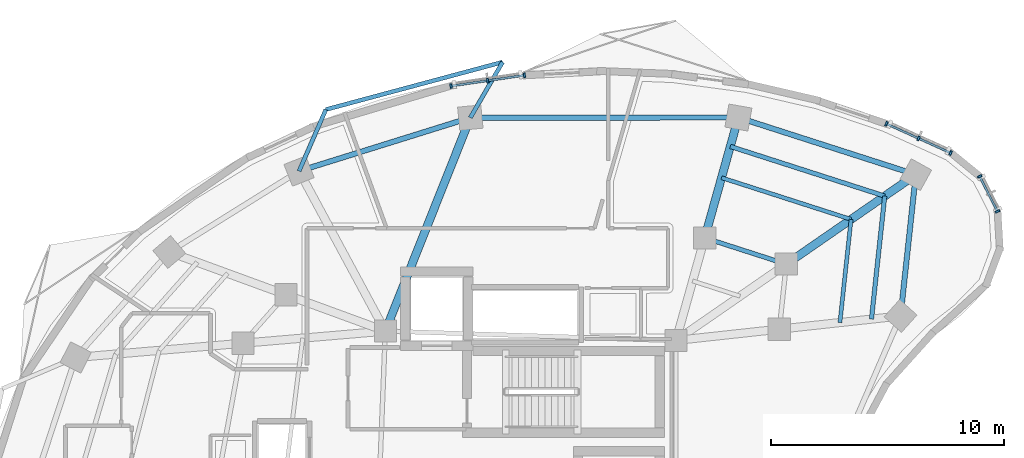
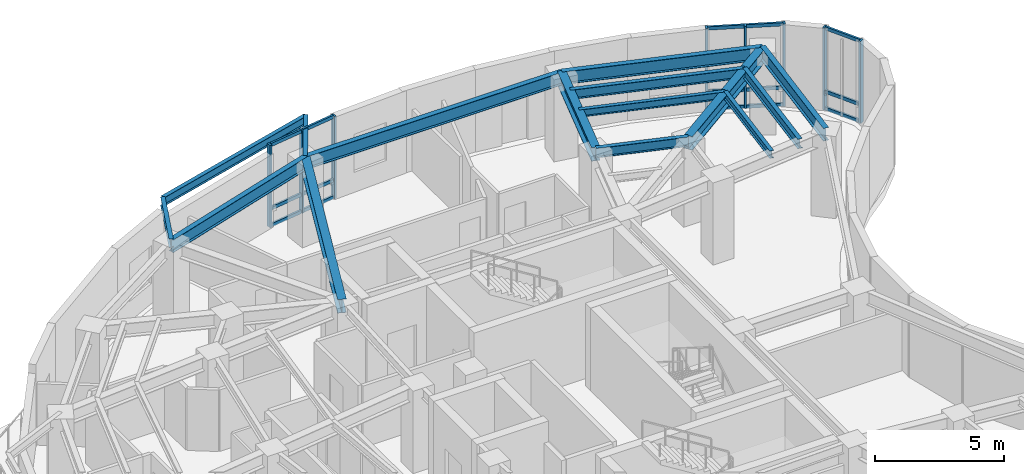
# One storey, part 5 of 13: 23 members, 15 beams, 3 elements without a shape of their own.
"""IFC4 building model written with IfcOpenShell, lengths in metres."""

from ifc_helpers import new_model, si_unit, direction, frame, origin, origin_2d, place, context, subcontext, project, spatial, rectangle, i_section, extrude, material, layer, layer_set, material_profile, profile_set, type_object, element, aggregate, save


model = new_model("IFC4")

# Units and contexts
model_context = context("Model", 3, precision=1e-05, world=origin(), true_north=direction((0.0, 1.0)))
body_context = subcontext(model_context, "Body", "Model", "MODEL_VIEW")
ifc_project = project(units=[si_unit("LENGTHUNIT", "METRE"), si_unit("AREAUNIT", "SQUARE_METRE"), si_unit("VOLUMEUNIT", "CUBIC_METRE"), si_unit("PLANEANGLEUNIT", "RADIAN"), si_unit("MASSUNIT", "GRAM", prefix="KILO")], contexts=[model_context])

# Site, building, storey
site_placement = place(None, origin())
site = spatial("IfcSite", under=ifc_project, at=site_placement, CompositionType="ELEMENT")
building_placement = place(site_placement, origin())
building = spatial("IfcBuilding", under=site, at=building_placement, Name="Korentha Bioscience Tower", CompositionType="ELEMENT")
storey_placement = place(building_placement, frame((0.0, 0.0, 166.800048828125)))
storey = spatial("IfcBuildingStorey", under=building, at=storey_placement, Name="L38", CompositionType="ELEMENT", Elevation=166.800048828125)

# Beam
ifc_material_1 = material(Name="Steel S355", Category="steel")
ifc_material_profile_1 = material_profile(ifc_material_1, i_section(OverallWidth=0.18994140625, OverallDepth=0.45703125, WebThickness=0.009033203125, FlangeThickness=0.014404296875, at=origin_2d()), Name="Steel S355")
ifc_profile_set_1 = profile_set([ifc_material_profile_1], Name="Steel S355 (MB-460)")
beam_type_1 = type_object("IfcBeamType", Name="Mid-Ring Tie Girder W460x74", PredefinedType="BEAM", material=ifc_profile_set_1)
beam_1_placement = place(storey_placement, frame((42.274658203125, 39.1171875, 3.67138671875), z_axis=(-0.952000195343, 0.306097415976, 0.0), x_axis=(-0.306097415976, -0.952000195343, 0.0)))
element("IfcBeam", 1, at=beam_1_placement, inside=storey, type_object=beam_type_1, Name="L38 Mid-Ring Tie Girder 01", PredefinedType="BEAM", context=body_context, shape_type="SweptSolid", body=[
    extrude(i_section(OverallWidth=0.18994140625, OverallDepth=0.45703125, WebThickness=0.009033203125, FlangeThickness=0.014404296875, at=origin_2d()), origin(), (0.0, 0.0, 1.0), 3.672119140625),
])

# Curtain wall, members
ifc_material_2 = material(Name="Thermally Broken Aluminium Frame", Category="aluminium")
ifc_layer = layer(ifc_material_2, 0.219970703125, Name="Thermally Broken Aluminium Frame")
ifc_layer_set = layer_set([ifc_layer], Name="Thermally Broken Aluminium Frame (CW-T2)")
curtain_wall_type = type_object("IfcCurtainWallType", Name="Solar-Screened Lab Unitised Curtain Wall CW-T2", PredefinedType="USERDEFINED", material=ifc_layer_set)
curtain_wall_1_placement = place(storey_placement, origin())
curtain_wall_1 = element("IfcCurtainWall", 2, at=curtain_wall_1_placement, inside=storey, type_object=curtain_wall_type, Name="L38 Curtain Wall 01", ObjectType="UNITISED", PredefinedType="USERDEFINED")
ifc_material_3 = material(Name="Anodised Aluminium 6063-T6", Category="aluminium")
ifc_material_profile_2 = material_profile(ifc_material_3, rectangle(XDim=0.090087890625, YDim=0.199951171875, at=origin_2d()), Name="Anodised Aluminium 6063-T6")
ifc_profile_set_2 = profile_set([ifc_material_profile_2], Name="Anodised Aluminium 6063-T6 (CW-MUL)")
member_type_1 = type_object("IfcMemberType", Name="Mullion RECT 90x200", PredefinedType="MULLION", material=ifc_profile_set_2)
member_1_placement = place(storey_placement, frame((49.314453125, 43.878173828125, 0.0), z_axis=(0.0, 0.0, 1.0), x_axis=(-0.910644398392, 0.413190972406, 0.0)))
member_1 = element("IfcMember", 3, at=member_1_placement, type_object=member_type_1, Name="CW-L38-01 Mullion 1", PredefinedType="MULLION", context=body_context, shape_type="SweptSolid", body=[
    extrude(rectangle(XDim=0.090087890625, YDim=0.199951171875, at=origin_2d()), origin(), (0.0, 0.0, 1.0), 3.89990234375),
])
member_2_placement = place(storey_placement, frame((47.93701171875, 44.503173828125, 0.0), z_axis=(0.0, 0.0, 1.0), x_axis=(-0.910644398392, 0.413190972406, 0.0)))
member_2 = element("IfcMember", 4, at=member_2_placement, type_object=member_type_1, Name="CW-L38-01 Mullion 2", PredefinedType="MULLION", context=body_context, shape_type="SweptSolid", body=[
    extrude(rectangle(XDim=0.090087890625, YDim=0.199951171875, at=origin_2d()), origin(), (0.0, 0.0, 1.0), 3.89990234375),
])
member_3_placement = place(storey_placement, frame((46.5595703125, 45.128173828125, 0.0), z_axis=(0.0, 0.0, 1.0), x_axis=(-0.910644398392, 0.413190972406, 0.0)))
member_3 = element("IfcMember", 5, at=member_3_placement, type_object=member_type_1, Name="CW-L38-01 Mullion 3", PredefinedType="MULLION", context=body_context, shape_type="SweptSolid", body=[
    extrude(rectangle(XDim=0.090087890625, YDim=0.199951171875, at=origin_2d()), origin(), (0.0, 0.0, 1.0), 3.89990234375),
])

curtain_wall_2_placement = place(storey_placement, origin())
curtain_wall_2 = element("IfcCurtainWall", 6, at=curtain_wall_2_placement, inside=storey, type_object=curtain_wall_type, Name="L38 Curtain Wall 07", ObjectType="UNITISED", PredefinedType="USERDEFINED")
member_4_placement = place(storey_placement, frame((31.056640625, 47.205078125, 0.0), z_axis=(0.0, 0.0, 1.0), x_axis=(-0.989461919888, -0.144793332342, 0.0)))
member_4 = element("IfcMember", 7, at=member_4_placement, type_object=member_type_1, Name="CW-L38-07 Mullion 1", PredefinedType="MULLION", context=body_context, shape_type="SweptSolid", body=[
    extrude(rectangle(XDim=0.090087890625, YDim=0.199951171875, at=origin_2d()), origin(), (0.0, 0.0, 1.0), 3.89990234375),
])
member_5_placement = place(storey_placement, frame((29.485107421875, 46.97509765625, 0.0), z_axis=(0.0, 0.0, 1.0), x_axis=(-0.989461919888, -0.144793332342, 0.0)))
member_5 = element("IfcMember", 8, at=member_5_placement, type_object=member_type_1, Name="CW-L38-07 Mullion 2", PredefinedType="MULLION", context=body_context, shape_type="SweptSolid", body=[
    extrude(rectangle(XDim=0.090087890625, YDim=0.199951171875, at=origin_2d()), origin(), (0.0, 0.0, 1.0), 3.89990234375),
])
member_6_placement = place(storey_placement, frame((27.913330078125, 46.7451171875, 0.0), z_axis=(0.0, 0.0, 1.0), x_axis=(-0.989461919888, -0.144793332342, 0.0)))
member_6 = element("IfcMember", 9, at=member_6_placement, type_object=member_type_1, Name="CW-L38-07 Mullion 3", PredefinedType="MULLION", context=body_context, shape_type="SweptSolid", body=[
    extrude(rectangle(XDim=0.090087890625, YDim=0.199951171875, at=origin_2d()), origin(), (0.0, 0.0, 1.0), 3.89990234375),
])

curtain_wall_3_placement = place(storey_placement, origin())
curtain_wall_3 = element("IfcCurtainWall", 10, at=curtain_wall_3_placement, inside=storey, type_object=curtain_wall_type, Name="L38 Curtain Wall 61", ObjectType="UNITISED", PredefinedType="USERDEFINED")
member_7_placement = place(storey_placement, frame((51.31884765625, 41.375732421875, 0.0), z_axis=(0.0, 0.0, 1.0), x_axis=(-0.45428845847, 0.890854643868, 0.0)))
member_7 = element("IfcMember", 11, at=member_7_placement, type_object=member_type_1, Name="CW-L38-61 Mullion 1", PredefinedType="MULLION", context=body_context, shape_type="SweptSolid", body=[
    extrude(rectangle(XDim=0.090087890625, YDim=0.199951171875, at=origin_2d()), origin(), (0.0, 0.0, 1.0), 3.89990234375),
])
member_8_placement = place(storey_placement, frame((50.5546875, 42.873779296875, 0.0), z_axis=(0.0, 0.0, 1.0), x_axis=(-0.45428845847, 0.890854643868, 0.0)))
member_8 = element("IfcMember", 12, at=member_8_placement, type_object=member_type_1, Name="CW-L38-61 Mullion 2", PredefinedType="MULLION", context=body_context, shape_type="SweptSolid", body=[
    extrude(rectangle(XDim=0.090087890625, YDim=0.199951171875, at=origin_2d()), origin(), (0.0, 0.0, 1.0), 3.89990234375),
])

# Beams
ifc_material_profile_3 = material_profile(ifc_material_1, i_section(OverallWidth=0.22802734375, OverallDepth=0.60791015625, WebThickness=0.01123046875, FlangeThickness=0.017333984375, at=origin_2d()), Name="Steel S355")
ifc_profile_set_3 = profile_set([ifc_material_profile_3], Name="Steel S355 (SB-610)")
beam_type_2 = type_object("IfcBeamType", Name="Perimeter Ring Spandrel Girder W610x113", PredefinedType="SPANDREL", material=ifc_profile_set_3)
beam_2_placement = place(storey_placement, frame((47.821044921875, 42.95263671875, 3.595947265625), z_axis=(-0.952008512555, 0.306071547228, 0.0), x_axis=(-0.306071547228, -0.952008512555, 0.0)))
element("IfcBeam", 13, at=beam_2_placement, inside=storey, type_object=beam_type_2, Name="L38 Perimeter Spandrel Girder 01", PredefinedType="SPANDREL", context=body_context, shape_type="SweptSolid", body=[
    extrude(i_section(OverallWidth=0.22802734375, OverallDepth=0.60791015625, WebThickness=0.01123046875, FlangeThickness=0.017333984375, at=origin_2d()), origin(), (0.0, 0.0, 1.0), 7.98291015625),
])
beam_3_placement = place(storey_placement, frame((40.22119140625, 45.39599609375, 3.595947265625), z_axis=(-0.99999988041, -0.000489059883, 0.0), x_axis=(0.000489059883, -0.99999988041, 0.0)))
element("IfcBeam", 14, at=beam_3_placement, inside=storey, type_object=beam_type_2, Name="L38 Perimeter Spandrel Girder 02", PredefinedType="SPANDREL", context=body_context, shape_type="SweptSolid", body=[
    extrude(i_section(OverallWidth=0.22802734375, OverallDepth=0.60791015625, WebThickness=0.01123046875, FlangeThickness=0.017333984375, at=origin_2d()), origin(), (0.0, 0.0, 1.0), 11.481689453125),
])
beam_4_placement = place(storey_placement, frame((28.739501953125, 45.390380859375, 3.595947265625), z_axis=(-0.954638172607, -0.29776829818, 0.0), x_axis=(0.29776829818, -0.954638172607, 0.0)))
element("IfcBeam", 15, at=beam_4_placement, inside=storey, type_object=beam_type_2, Name="L38 Perimeter Spandrel Girder 03", PredefinedType="SPANDREL", context=body_context, shape_type="SweptSolid", body=[
    extrude(i_section(OverallWidth=0.22802734375, OverallDepth=0.60791015625, WebThickness=0.01123046875, FlangeThickness=0.017333984375, at=origin_2d()), origin(), (0.0, 0.0, 1.0), 7.682373046875),
])
beam_5_placement = place(storey_placement, frame((47.16748046875, 36.89794921875, 3.595947265625), z_axis=(0.10732012232, 0.994224517574, 0.0), x_axis=(-0.994224517574, 0.10732012232, 0.0)))
element("IfcBeam", 16, at=beam_5_placement, inside=storey, type_object=beam_type_2, Name="L38 Perimeter Spandrel Girder 16", PredefinedType="SPANDREL", context=body_context, shape_type="SweptSolid", body=[
    extrude(i_section(OverallWidth=0.22802734375, OverallDepth=0.60791015625, WebThickness=0.01123046875, FlangeThickness=0.017333984375, at=origin_2d()), origin(), (0.0, 0.0, 1.0), 6.08984375),
])
ifc_material_profile_4 = material_profile(ifc_material_1, i_section(OverallWidth=0.18994140625, OverallDepth=0.45703125, WebThickness=0.009033203125, FlangeThickness=0.014404296875, at=origin_2d()), Name="Steel S355")
ifc_profile_set_4 = profile_set([ifc_material_profile_4], Name="Steel S355 (RB-460)")
beam_type_3 = type_object("IfcBeamType", Name="Radial Laboratory Beam W460x74", PredefinedType="BEAM", material=ifc_profile_set_4)
beam_6_placement = place(storey_placement, frame((46.489990234375, 42.031982421875, 3.67138671875), z_axis=(-0.952009183817, 0.306069459318, 0.0), x_axis=(-0.306069459318, -0.952009183817, 0.0)))
element("IfcBeam", 17, at=beam_6_placement, inside=storey, type_object=beam_type_3, Name="L38 Secondary Floor Beam JSTO-01", PredefinedType="BEAM", context=body_context, shape_type="SweptSolid", body=[
    extrude(i_section(OverallWidth=0.18994140625, OverallDepth=0.45703125, WebThickness=0.009033203125, FlangeThickness=0.014404296875, at=origin_2d()), origin(), (0.0, 0.0, 1.0), 6.948486328125),
])
beam_7_placement = place(storey_placement, frame((45.921142578125, 36.76220703125, 3.67138671875), z_axis=(0.107321875607, 0.994224328316, 0.0), x_axis=(-0.994224328316, 0.107321875607, 0.0)))
element("IfcBeam", 18, at=beam_7_placement, inside=storey, type_object=beam_type_3, Name="L38 Secondary Floor Beam JSTO-16", PredefinedType="BEAM", context=body_context, shape_type="SweptSolid", body=[
    extrude(i_section(OverallWidth=0.18994140625, OverallDepth=0.45703125, WebThickness=0.009033203125, FlangeThickness=0.014404296875, at=origin_2d()), origin(), (0.0, 0.0, 1.0), 5.30029296875),
])
ifc_material_profile_5 = material_profile(ifc_material_1, i_section(OverallWidth=0.35009765625, OverallDepth=0.64990234375, WebThickness=0.01611328125, FlangeThickness=0.02490234375, at=origin_2d()), Name="Steel S355")
ifc_profile_set_5 = profile_set([ifc_material_profile_5], Name="Steel S355 (RB-650)")
beam_type_4 = type_object("IfcBeamType", Name="Radial Laboratory Girder CVS 650x208", PredefinedType="BEAM", material=ifc_profile_set_5)
beam_8_placement = place(storey_placement, frame((42.274658203125, 39.1171875, 3.574951171875), z_axis=(0.822494455845, 0.568773127094, 0.0), x_axis=(-0.568773127094, 0.822494455845, 0.0)))
element("IfcBeam", 19, at=beam_8_placement, inside=storey, type_object=beam_type_4, Name="L38 Outer Radial Girder 01", PredefinedType="BEAM", context=body_context, shape_type="SweptSolid", body=[
    extrude(i_section(OverallWidth=0.35009765625, OverallDepth=0.64990234375, WebThickness=0.01611328125, FlangeThickness=0.02490234375, at=origin_2d()), origin(), (0.0, 0.0, 1.0), 6.743408203125),
])
beam_9_placement = place(storey_placement, frame((38.77880859375, 40.2412109375, 3.574951171875), z_axis=(0.269464128344, 0.963010427532, 0.0), x_axis=(-0.963010427532, 0.269464128344, 0.0)))
element("IfcBeam", 20, at=beam_9_placement, inside=storey, type_object=beam_type_4, Name="L38 Outer Radial Girder 02", PredefinedType="BEAM", context=body_context, shape_type="SweptSolid", body=[
    extrude(i_section(OverallWidth=0.35009765625, OverallDepth=0.64990234375, WebThickness=0.01611328125, FlangeThickness=0.02490234375, at=origin_2d()), origin(), (0.0, 0.0, 1.0), 5.352783203125),
])
beam_10_placement = place(storey_placement, frame((25.10009765625, 36.25, 3.574951171875), z_axis=(0.369922682955, 0.929062542909, 0.0), x_axis=(-0.929062542909, 0.369922682955, 0.0)))
element("IfcBeam", 21, at=beam_10_placement, inside=storey, type_object=beam_type_4, Name="L38 Radial Girder 03", PredefinedType="BEAM", context=body_context, shape_type="SweptSolid", body=[
    extrude(i_section(OverallWidth=0.35009765625, OverallDepth=0.64990234375, WebThickness=0.01611328125, FlangeThickness=0.02490234375, at=origin_2d()), origin(), (0.0, 0.0, 1.0), 9.83837890625),
])
ifc_material_profile_6 = material_profile(ifc_material_1, i_section(OverallWidth=0.1708984375, OverallDepth=0.35498046875, WebThickness=0.007080078125, FlangeThickness=0.01171875, at=origin_2d()), Name="Steel S355")
ifc_profile_set_6 = profile_set([ifc_material_profile_6], Name="Steel S355 (JB-360)")
beam_type_5 = type_object("IfcBeamType", Name="Secondary Laboratory Joist W360x51", PredefinedType="JOIST", material=ifc_profile_set_6)
beam_11_placement = place(storey_placement, frame((45.0478515625, 41.034912109375, 3.722412109375), z_axis=(-0.952005892166, 0.306079697596, 0.0), x_axis=(-0.306079697596, -0.952005892166, 0.0)))
element("IfcBeam", 22, at=beam_11_placement, inside=storey, type_object=beam_type_5, Name="L38 Secondary Floor Beam JST-01", PredefinedType="JOIST", context=body_context, shape_type="SweptSolid", body=[
    extrude(i_section(OverallWidth=0.1708984375, OverallDepth=0.35498046875, WebThickness=0.007080078125, FlangeThickness=0.01171875, at=origin_2d()), origin(), (0.0, 0.0, 1.0), 5.82763671875),
])
beam_12_placement = place(storey_placement, frame((44.57080078125, 36.614990234375, 3.722412109375), z_axis=(0.107308722475, 0.994225748048, 0.0), x_axis=(-0.994225748048, 0.107308722475, 0.0)))
element("IfcBeam", 23, at=beam_12_placement, inside=storey, type_object=beam_type_5, Name="L38 Secondary Floor Beam JST-16", PredefinedType="JOIST", context=body_context, shape_type="SweptSolid", body=[
    extrude(i_section(OverallWidth=0.1708984375, OverallDepth=0.35498046875, WebThickness=0.007080078125, FlangeThickness=0.01171875, at=origin_2d()), origin(), (0.0, 0.0, 1.0), 4.445556640625),
])
ifc_material_profile_7 = material_profile(ifc_material_1, i_section(OverallWidth=0.177978515625, OverallDepth=0.406982421875, WebThickness=0.0078125, FlangeThickness=0.0126953125, at=origin_2d()), Name="Steel S355")
ifc_profile_set_7 = profile_set([ifc_material_profile_7], Name="Steel S355 (CB-410)")
beam_type_6 = type_object("IfcBeamType", Name="Sun-Ledge Cantilever Beam W410x60", PredefinedType="BEAM", material=ifc_profile_set_7)
beam_13_placement = place(storey_placement, frame((28.739501953125, 45.390380859375, 3.698486328125), z_axis=(0.502315224283, 0.8646845757, 0.0), x_axis=(-0.8646845757, 0.502315224283, 0.0)))
element("IfcBeam", 24, at=beam_13_placement, inside=storey, type_object=beam_type_6, Name="L38 Balcony Cantilever Bracket A-L39-01", PredefinedType="BEAM", context=body_context, shape_type="SweptSolid", body=[
    extrude(i_section(OverallWidth=0.177978515625, OverallDepth=0.406982421875, WebThickness=0.0078125, FlangeThickness=0.0126953125, at=origin_2d()), origin(), (0.0, 0.0, 1.0), 2.7529296875),
])
beam_14_placement = place(storey_placement, frame((21.405517578125, 43.102783203125, 3.698486328125), z_axis=(0.398775835051, 0.917048435678, 0.0), x_axis=(-0.917048435678, 0.398775835051, 0.0)))
element("IfcBeam", 25, at=beam_14_placement, inside=storey, type_object=beam_type_6, Name="L38 Balcony Cantilever Bracket B-L39-01", PredefinedType="BEAM", context=body_context, shape_type="SweptSolid", body=[
    extrude(i_section(OverallWidth=0.177978515625, OverallDepth=0.406982421875, WebThickness=0.0078125, FlangeThickness=0.0126953125, at=origin_2d()), origin(), (0.0, 0.0, 1.0), 2.87255859375),
])
beam_15_placement = place(storey_placement, frame((30.122314453125, 47.770751953125, 3.698486328125), z_axis=(-0.965767136539, -0.259410558731, 0.0), x_axis=(0.259410558731, -0.965767136539, 0.0)))
element("IfcBeam", 26, at=beam_15_placement, inside=storey, type_object=beam_type_6, Name="L38 Balcony Edge Trimmer Beam L39-01", PredefinedType="BEAM", context=body_context, shape_type="SweptSolid", body=[
    extrude(i_section(OverallWidth=0.177978515625, OverallDepth=0.406982421875, WebThickness=0.0078125, FlangeThickness=0.0126953125, at=origin_2d()), origin(), (0.0, 0.0, 1.0), 7.839599609375),
])

# Member
ifc_material_profile_8 = material_profile(ifc_material_3, rectangle(XDim=0.090087890625, YDim=0.159912109375, at=origin_2d()), Name="Anodised Aluminium 6063-T6")
ifc_profile_set_8 = profile_set([ifc_material_profile_8], Name="Anodised Aluminium 6063-T6 (CW-TRN)")
member_type_2 = type_object("IfcMemberType", Name="Transom RECT 90x160", PredefinedType="USERDEFINED", material=ifc_profile_set_8)
member_9_placement = place(storey_placement, frame((49.2734375, 43.896728515625, 0.044921875), z_axis=(-0.910613165474, 0.41325980069, 0.0), x_axis=(-0.41325980069, -0.910613165474, 0.0)))
member_9 = element("IfcMember", 27, at=member_9_placement, type_object=member_type_2, Name="CW-L38-01 Bay 1 Transom 1", ObjectType="TRANSOM", PredefinedType="USERDEFINED", context=body_context, shape_type="SweptSolid", body=[
    extrude(rectangle(XDim=0.090087890625, YDim=0.159912109375, at=origin_2d()), origin(), (0.0, 0.0, 1.0), 1.422607421875),
])

member_10_placement = place(storey_placement, frame((49.2734375, 43.896728515625, 0.849853515625), z_axis=(-0.910613165474, 0.41325980069, 0.0), x_axis=(-0.41325980069, -0.910613165474, 0.0)))
member_10 = element("IfcMember", 28, at=member_10_placement, type_object=member_type_2, Name="CW-L38-01 Bay 1 Transom 2", ObjectType="TRANSOM", PredefinedType="USERDEFINED", context=body_context, shape_type="SweptSolid", body=[
    extrude(rectangle(XDim=0.090087890625, YDim=0.159912109375, at=origin_2d()), origin(), (0.0, 0.0, 1.0), 1.422607421875),
])

member_11_placement = place(storey_placement, frame((49.2734375, 43.896728515625, 3.85498046875), z_axis=(-0.910613165474, 0.41325980069, 0.0), x_axis=(-0.41325980069, -0.910613165474, 0.0)))
member_11 = element("IfcMember", 29, at=member_11_placement, type_object=member_type_2, Name="CW-L38-01 Bay 1 Transom 3", ObjectType="TRANSOM", PredefinedType="USERDEFINED", context=body_context, shape_type="SweptSolid", body=[
    extrude(rectangle(XDim=0.090087890625, YDim=0.159912109375, at=origin_2d()), origin(), (0.0, 0.0, 1.0), 1.422607421875),
])

member_12_placement = place(storey_placement, frame((47.89599609375, 44.521728515625, 0.044921875), z_axis=(-0.910613165474, 0.41325980069, 0.0), x_axis=(-0.41325980069, -0.910613165474, 0.0)))
member_12 = element("IfcMember", 30, at=member_12_placement, type_object=member_type_2, Name="CW-L38-01 Bay 2 Transom 1", ObjectType="TRANSOM", PredefinedType="USERDEFINED", context=body_context, shape_type="SweptSolid", body=[
    extrude(rectangle(XDim=0.090087890625, YDim=0.159912109375, at=origin_2d()), origin(), (0.0, 0.0, 1.0), 1.422607421875),
])

member_13_placement = place(storey_placement, frame((47.89599609375, 44.521728515625, 0.849853515625), z_axis=(-0.910613165474, 0.41325980069, 0.0), x_axis=(-0.41325980069, -0.910613165474, 0.0)))
member_13 = element("IfcMember", 31, at=member_13_placement, type_object=member_type_2, Name="CW-L38-01 Bay 2 Transom 2", ObjectType="TRANSOM", PredefinedType="USERDEFINED", context=body_context, shape_type="SweptSolid", body=[
    extrude(rectangle(XDim=0.090087890625, YDim=0.159912109375, at=origin_2d()), origin(), (0.0, 0.0, 1.0), 1.422607421875),
])

member_14_placement = place(storey_placement, frame((47.89599609375, 44.521728515625, 3.85498046875), z_axis=(-0.910613165474, 0.41325980069, 0.0), x_axis=(-0.41325980069, -0.910613165474, 0.0)))
member_14 = element("IfcMember", 32, at=member_14_placement, type_object=member_type_2, Name="CW-L38-01 Bay 2 Transom 3", ObjectType="TRANSOM", PredefinedType="USERDEFINED", context=body_context, shape_type="SweptSolid", body=[
    extrude(rectangle(XDim=0.090087890625, YDim=0.159912109375, at=origin_2d()), origin(), (0.0, 0.0, 1.0), 1.422607421875),
])

aggregate(curtain_wall_1, [member_1, member_2, member_3, member_9, member_10, member_11, member_12, member_13, member_14])

member_15_placement = place(storey_placement, frame((31.01220703125, 47.198486328125, 0.044921875), z_axis=(-0.989478137929, -0.144682461136, 0.0), x_axis=(0.144682461136, -0.989478137929, 0.0)))
member_15 = element("IfcMember", 33, at=member_15_placement, type_object=member_type_2, Name="CW-L38-07 Bay 1 Transom 1", ObjectType="TRANSOM", PredefinedType="USERDEFINED", context=body_context, shape_type="SweptSolid", body=[
    extrude(rectangle(XDim=0.090087890625, YDim=0.159912109375, at=origin_2d()), origin(), (0.0, 0.0, 1.0), 1.49853515625),
])

member_16_placement = place(storey_placement, frame((31.01220703125, 47.198486328125, 0.849853515625), z_axis=(-0.989478137929, -0.144682461136, 0.0), x_axis=(0.144682461136, -0.989478137929, 0.0)))
member_16 = element("IfcMember", 34, at=member_16_placement, type_object=member_type_2, Name="CW-L38-07 Bay 1 Transom 2", ObjectType="TRANSOM", PredefinedType="USERDEFINED", context=body_context, shape_type="SweptSolid", body=[
    extrude(rectangle(XDim=0.090087890625, YDim=0.159912109375, at=origin_2d()), origin(), (0.0, 0.0, 1.0), 1.49853515625),
])

member_17_placement = place(storey_placement, frame((31.01220703125, 47.198486328125, 3.85498046875), z_axis=(-0.989478137929, -0.144682461136, 0.0), x_axis=(0.144682461136, -0.989478137929, 0.0)))
member_17 = element("IfcMember", 35, at=member_17_placement, type_object=member_type_2, Name="CW-L38-07 Bay 1 Transom 3", ObjectType="TRANSOM", PredefinedType="USERDEFINED", context=body_context, shape_type="SweptSolid", body=[
    extrude(rectangle(XDim=0.090087890625, YDim=0.159912109375, at=origin_2d()), origin(), (0.0, 0.0, 1.0), 1.49853515625),
])

member_18_placement = place(storey_placement, frame((29.4404296875, 46.968505859375, 0.044921875), z_axis=(-0.989474726473, -0.144705790038, 0.0), x_axis=(0.144705790038, -0.989474726473, 0.0)))
member_18 = element("IfcMember", 36, at=member_18_placement, type_object=member_type_2, Name="CW-L38-07 Bay 2 Transom 1", ObjectType="TRANSOM", PredefinedType="USERDEFINED", context=body_context, shape_type="SweptSolid", body=[
    extrude(rectangle(XDim=0.090087890625, YDim=0.159912109375, at=origin_2d()), origin(), (0.0, 0.0, 1.0), 1.498291015625),
])

member_19_placement = place(storey_placement, frame((29.4404296875, 46.968505859375, 0.849853515625), z_axis=(-0.989474726473, -0.144705790038, 0.0), x_axis=(0.144705790038, -0.989474726473, 0.0)))
member_19 = element("IfcMember", 37, at=member_19_placement, type_object=member_type_2, Name="CW-L38-07 Bay 2 Transom 2", ObjectType="TRANSOM", PredefinedType="USERDEFINED", context=body_context, shape_type="SweptSolid", body=[
    extrude(rectangle(XDim=0.090087890625, YDim=0.159912109375, at=origin_2d()), origin(), (0.0, 0.0, 1.0), 1.498291015625),
])

member_20_placement = place(storey_placement, frame((29.4404296875, 46.968505859375, 3.85498046875), z_axis=(-0.989474726473, -0.144705790038, 0.0), x_axis=(0.144705790038, -0.989474726473, 0.0)))
member_20 = element("IfcMember", 38, at=member_20_placement, type_object=member_type_2, Name="CW-L38-07 Bay 2 Transom 3", ObjectType="TRANSOM", PredefinedType="USERDEFINED", context=body_context, shape_type="SweptSolid", body=[
    extrude(rectangle(XDim=0.090087890625, YDim=0.159912109375, at=origin_2d()), origin(), (0.0, 0.0, 1.0), 1.498291015625),
])

aggregate(curtain_wall_2, [member_4, member_5, member_6, member_15, member_16, member_17, member_18, member_19, member_20])

member_21_placement = place(storey_placement, frame((51.29833984375, 41.415771484375, 0.044921875), z_axis=(-0.454316345026, 0.890840422658, 0.0), x_axis=(-0.890840422658, -0.454316345026, 0.0)))
member_21 = element("IfcMember", 39, at=member_21_placement, type_object=member_type_2, Name="CW-L38-61 Bay 1 Transom 1", ObjectType="TRANSOM", PredefinedType="USERDEFINED", context=body_context, shape_type="SweptSolid", body=[
    extrude(rectangle(XDim=0.090087890625, YDim=0.159912109375, at=origin_2d()), origin(), (0.0, 0.0, 1.0), 1.591796875),
])

member_22_placement = place(storey_placement, frame((51.29833984375, 41.415771484375, 0.849853515625), z_axis=(-0.454316345026, 0.890840422658, 0.0), x_axis=(-0.890840422658, -0.454316345026, 0.0)))
member_22 = element("IfcMember", 40, at=member_22_placement, type_object=member_type_2, Name="CW-L38-61 Bay 1 Transom 2", ObjectType="TRANSOM", PredefinedType="USERDEFINED", context=body_context, shape_type="SweptSolid", body=[
    extrude(rectangle(XDim=0.090087890625, YDim=0.159912109375, at=origin_2d()), origin(), (0.0, 0.0, 1.0), 1.591796875),
])

member_23_placement = place(storey_placement, frame((51.29833984375, 41.415771484375, 3.85498046875), z_axis=(-0.454316345026, 0.890840422658, 0.0), x_axis=(-0.890840422658, -0.454316345026, 0.0)))
member_23 = element("IfcMember", 41, at=member_23_placement, type_object=member_type_2, Name="CW-L38-61 Bay 1 Transom 3", ObjectType="TRANSOM", PredefinedType="USERDEFINED", context=body_context, shape_type="SweptSolid", body=[
    extrude(rectangle(XDim=0.090087890625, YDim=0.159912109375, at=origin_2d()), origin(), (0.0, 0.0, 1.0), 1.591796875),
])

aggregate(curtain_wall_3, [member_7, member_8, member_21, member_22, member_23])

save(model, "model.ifc")
